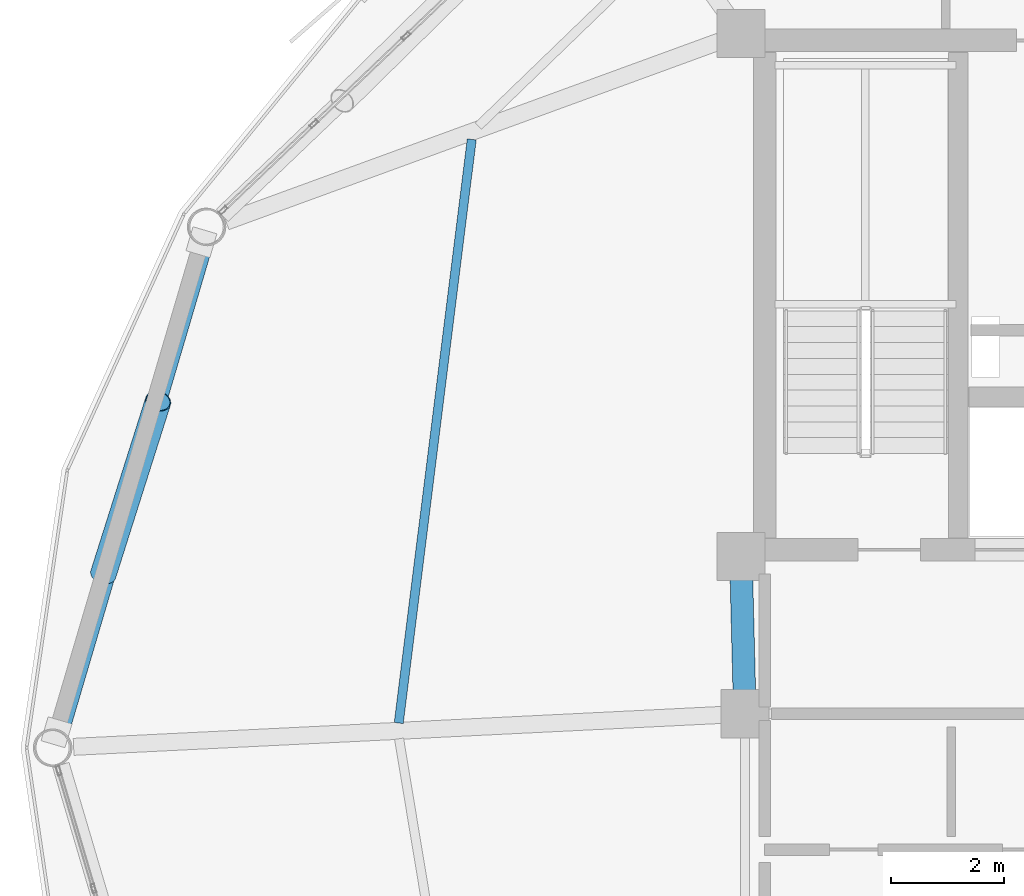
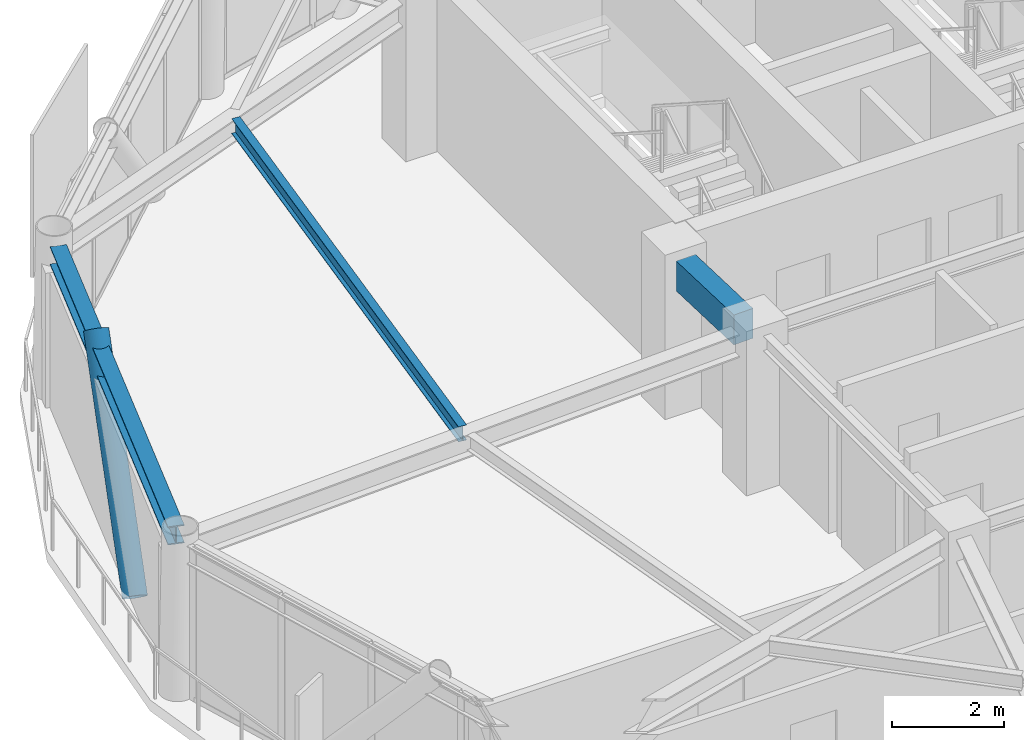
# One storey, part 12 of 28: 3 beams, 1 member.
"""IFC4 building model written with IfcOpenShell, lengths in metres."""

from ifc_helpers import new_model, si_unit, direction, frame, origin, origin_2d, place, context, subcontext, project, spatial, rectangle, hollow_circle, i_section, extrude, material, material_profile, profile_set, type_object, element, save


model = new_model("IFC4")

# Units and contexts
model_context = context("Model", 3, precision=1e-05, world=origin(), true_north=direction((0.0, 1.0)))
body_context = subcontext(model_context, "Body", "Model", "MODEL_VIEW")
ifc_project = project(units=[si_unit("LENGTHUNIT", "METRE"), si_unit("AREAUNIT", "SQUARE_METRE"), si_unit("VOLUMEUNIT", "CUBIC_METRE"), si_unit("PLANEANGLEUNIT", "RADIAN"), si_unit("MASSUNIT", "GRAM", prefix="KILO")], contexts=[model_context])

# Site, building, storey
site_placement = place(None, origin())
site = spatial("IfcSite", under=ifc_project, at=site_placement, CompositionType="ELEMENT")
building_placement = place(site_placement, origin())
building = spatial("IfcBuilding", under=site, at=building_placement, Name="Varnakorn Sky Granary", CompositionType="ELEMENT")
storey_placement = place(building_placement, frame((0.0, 0.0, 196.800048828125)))
storey = spatial("IfcBuildingStorey", under=building, at=storey_placement, Name="L49", CompositionType="ELEMENT", Elevation=196.800048828125)

# Beams
ifc_material_1 = material(Name="Concrete C50/60", Category="concrete")
ifc_material_profile_1 = material_profile(ifc_material_1, rectangle(XDim=0.39990234375, YDim=0.64990234375, at=origin_2d()), Name="RC 400x650")
ifc_profile_set_1 = profile_set([ifc_material_profile_1], Name="Concrete C50/60")
beam_type_1 = type_object("IfcBeamType", Name="BM-LIN-650", PredefinedType="LINTEL", material=ifc_profile_set_1)
beam_1_placement = place(storey_placement, frame((-2.409912109375, 2.97509765625, 3.034912109375), z_axis=(0.025270737467, -0.99968064392, 0.0), x_axis=(0.99968064392, 0.025270737467, 0.0)))
element("IfcBeam", 1, at=beam_1_placement, inside=storey, type_object=beam_type_1, Name="Core Spine Framing Beam 1 L49", PredefinedType="LINTEL", context=body_context, shape_type="SweptSolid", body=[
    extrude(rectangle(XDim=0.39990234375, YDim=0.64990234375, at=origin_2d()), origin(), (0.0, 0.0, 1.0), 1.970947265625),
])
ifc_material_2 = material(Name="Steel S355JR", Category="steel")
ifc_material_profile_2 = material_profile(ifc_material_2, i_section(OverallWidth=0.159912109375, OverallDepth=0.330078125, WebThickness=0.007568359375, FlangeThickness=0.011474609375, at=origin_2d()), Name="IPE 330")
ifc_profile_set_2 = profile_set([ifc_material_profile_2], Name="Steel S355JR")
beam_type_2 = type_object("IfcBeamType", Name="BM-SEC-Z4", PredefinedType="BEAM", material=ifc_profile_set_2)
beam_2_placement = place(storey_placement, frame((-7.17626953125, 10.75, 3.195068359375), z_axis=(-0.124049189786, -0.992276069707, 0.0), x_axis=(0.992276069707, -0.124049189786, 0.0)))
element("IfcBeam", 2, at=beam_2_placement, inside=storey, type_object=beam_type_2, Name="Secondary Floor Chord Beam MSB06 L49", PredefinedType="BEAM", context=body_context, shape_type="SweptSolid", body=[
    extrude(i_section(OverallWidth=0.159912109375, OverallDepth=0.330078125, WebThickness=0.007568359375, FlangeThickness=0.011474609375, at=origin_2d()), origin(), (0.0, 0.0, 1.0), 10.3935546875),
])
ifc_material_profile_3 = material_profile(ifc_material_2, i_section(OverallWidth=0.300048828125, OverallDepth=0.39990234375, WebThickness=0.013427734375, FlangeThickness=0.02392578125, at=origin_2d()), Name="HE 400 B")
ifc_profile_set_3 = profile_set([ifc_material_profile_3], Name="Steel S355JR")
beam_type_3 = type_object("IfcBeamType", Name="BM-SPD-Z4", PredefinedType="SPANDREL", material=ifc_profile_set_3)
beam_3_placement = place(storey_placement, frame((-11.90234375, 8.886962890625, 3.159912109375), z_axis=(-0.283136334563, -0.959079671378, 0.0), x_axis=(0.959079671378, -0.283136334563, 0.0)))
element("IfcBeam", 3, at=beam_3_placement, inside=storey, type_object=beam_type_3, Name="Perimeter Spandrel Ring Beam RB06 L49", PredefinedType="SPANDREL", context=body_context, shape_type="SweptSolid", body=[
    extrude(i_section(OverallWidth=0.300048828125, OverallDepth=0.39990234375, WebThickness=0.013427734375, FlangeThickness=0.02392578125, at=origin_2d()), origin(), (0.0, 0.0, 1.0), 8.951171875),
])

# Member
ifc_material_3 = material(Name="Steel S460M", Category="steel")
ifc_material_profile_4 = material_profile(ifc_material_3, hollow_circle(Radius=0.228515625, WallThickness=0.01611328125, at=origin_2d()), Name="CHS 457x16")
ifc_profile_set_4 = profile_set([ifc_material_profile_4], Name="Steel S460M")
member_type = type_object("IfcMemberType", Name="MB-DIAG-T3", PredefinedType="BRACE", material=ifc_profile_set_4)
member_placement = place(storey_placement, frame((-13.686767578125, 3.068603515625, -0.130126953125), z_axis=(0.200398752192, 0.63213943922, 0.748491863351), x_axis=(-0.95324614839, 0.302194938043, 0.0)))
element("IfcMember", 4, at=member_placement, inside=storey, type_object=member_type, Name="Perimeter CHS Diagrid Brace DG06 L49", PredefinedType="BRACE", context=body_context, shape_type="SweptSolid", body=[
    extrude(hollow_circle(Radius=0.228515625, WallThickness=0.01611328125, at=origin_2d()), origin(), (0.0, 0.0, 1.0), 4.836669921875),
])

save(model, "model.ifc")
